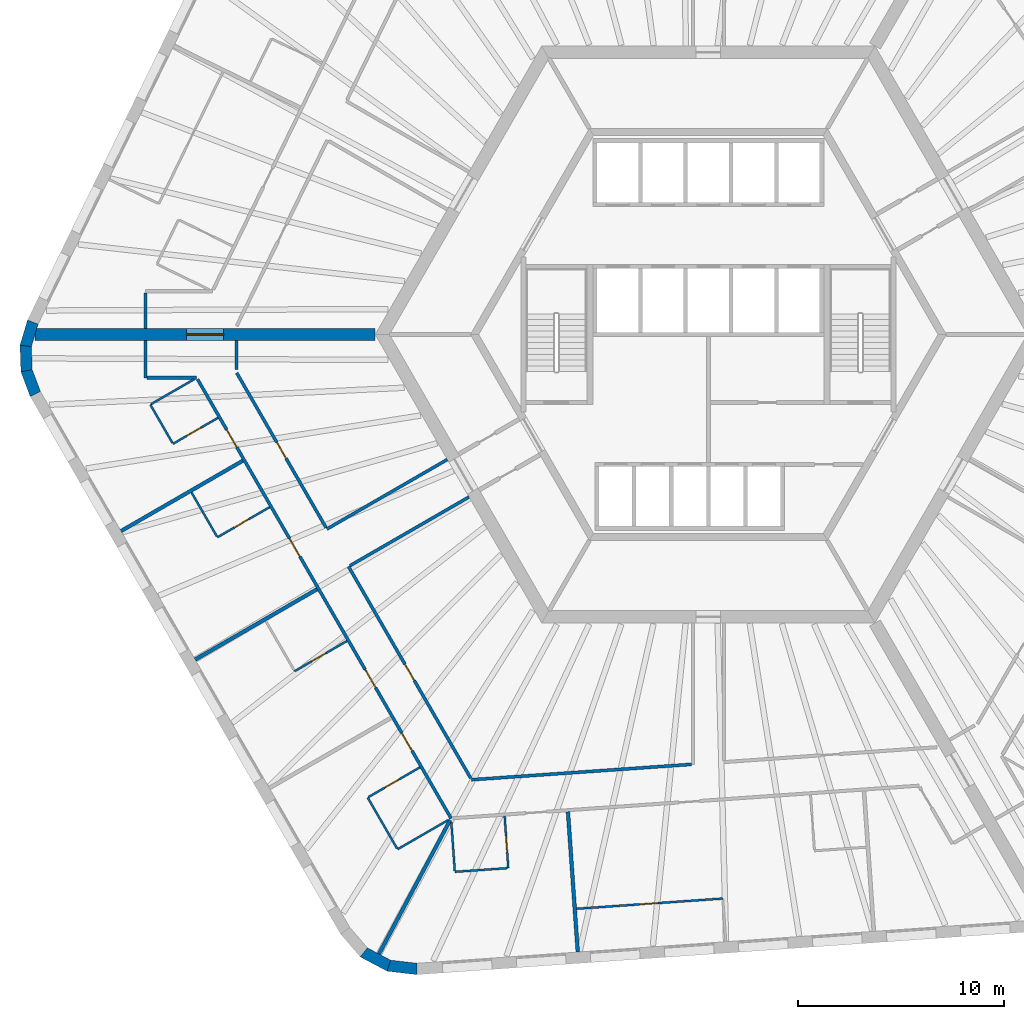
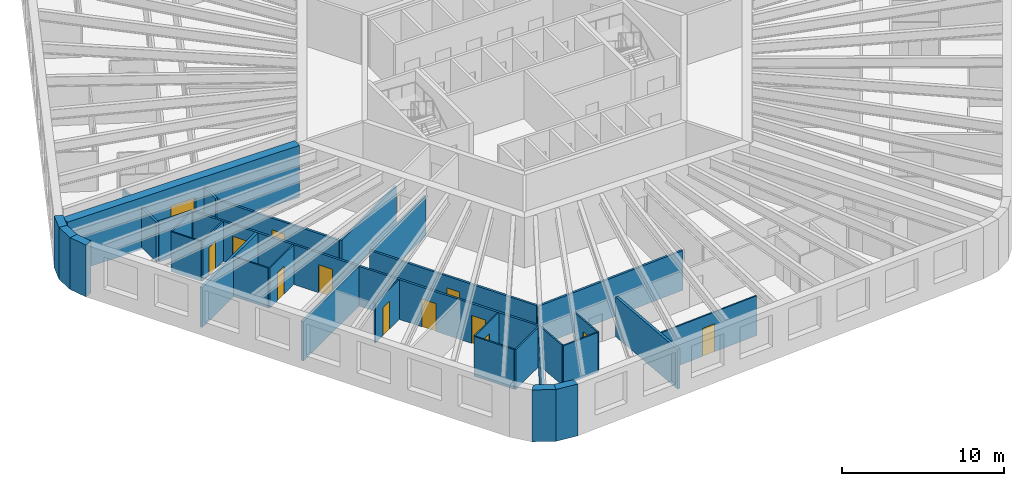
# One storey, part 3 of 12: 33 walls, 13 doors, 13 openings.
"""IFC4 building model written with IfcOpenShell, lengths in metres."""

from ifc_helpers import new_model, si_unit, direction, frame, frame_2d, origin, place, context, subcontext, project, spatial, polyline, rectangle, outline, extrude, material, layer, layer_set, type_object, element, fill, save


model = new_model("IFC4")

# Units and contexts
model_context = context("Model", 3, precision=1e-05, world=origin(), true_north=direction((0.0, 1.0)))
body_context = subcontext(model_context, "Body", "Model", "MODEL_VIEW")
ifc_project = project(units=[si_unit("LENGTHUNIT", "METRE"), si_unit("AREAUNIT", "SQUARE_METRE"), si_unit("VOLUMEUNIT", "CUBIC_METRE"), si_unit("PLANEANGLEUNIT", "RADIAN"), si_unit("MASSUNIT", "GRAM", prefix="KILO")], contexts=[model_context])

# Site, building, storey
site_placement = place(None, origin())
site = spatial("IfcSite", under=ifc_project, at=site_placement, CompositionType="ELEMENT")
building_placement = place(site_placement, origin())
building = spatial("IfcBuilding", under=site, at=building_placement, Name="Tarnside Tower", CompositionType="ELEMENT")
storey_placement = place(building_placement, frame((0.0, 0.0, 57.0)))
storey = spatial("IfcBuildingStorey", under=building, at=storey_placement, Name="L11", CompositionType="ELEMENT", Elevation=57.0)

# Wall, opening, door
ifc_material_1 = material(Name="Gypsum board partition on steel studs", Category="steel")
ifc_layer_1 = layer(ifc_material_1, 0.10009765625)
ifc_layer_set_1 = layer_set([ifc_layer_1], Name="Bathroom wall 100")
wall_type_1 = type_object("IfcWallType", Name="Bathroom wall 100", PredefinedType="PARTITIONING", material=ifc_layer_set_1)
wall_1_placement = place(storey_placement, frame((-23.791015625, -4.042724609375, 0.0), z_axis=(0.0, 0.0, 1.0), x_axis=(-0.866039067339, -0.499976333282, 0.0)))
wall_1 = element("IfcWall", 1, at=wall_1_placement, inside=storey, type_object=wall_type_1, Name="Bathroom wall 02101", PredefinedType="PARTITIONING", context=body_context, shape_type="SweptSolid", body=[
    extrude(rectangle(XDim=2.52490234375, YDim=0.10009765625, at=frame_2d((1.262451171875, 0.0))), origin(), (0.0, 0.0, 1.0), 2.98779296875),
])
opening_1_placement = place(wall_1_placement, frame((0.955078125, 0.0, 0.0)))
opening_1 = element("IfcOpeningElement", 2, at=opening_1_placement, cuts=wall_1, Name="Opening D-B1", PredefinedType="OPENING", context=body_context, shape_type="SweptSolid", body=[
    extrude(rectangle(XDim=0.800048828125, YDim=2.10009765625, at=frame_2d((0.39990234375, 1.050048828125))), frame((0.0, 0.06005859375, 0.0), z_axis=(0.0, -1.0, 0.0), x_axis=(1.0, 0.0, 0.0)), (0.0, 0.0, 1.0), 0.1201171875),
])
ifc_material_2 = material(Name="Timber door leaf", Category="wood")
door_type_1 = type_object("IfcDoorType", Name="Bathroom door 800", OperationType="NOTDEFINED", PredefinedType="DOOR", material=ifc_material_2)
door_1_placement = place(opening_1_placement, origin())
door_1 = element("IfcDoor", 3, at=door_1_placement, inside=storey, type_object=door_type_1, Name="Bathroom door 02015", OperationType="SINGLE_SWING_LEFT", OverallHeight=2.10009765625, OverallWidth=0.800048828125, PredefinedType="DOOR", context=body_context, shape_type="SweptSolid", body=[
    extrude(rectangle(XDim=0.800048828125, YDim=2.10009765625, at=frame_2d((0.39990234375, 1.050048828125))), frame((0.0, 0.02490234375, 0.0), z_axis=(0.0, -1.0, 0.0), x_axis=(1.0, 0.0, 0.0)), (0.0, 0.0, 1.0), 0.050048828125),
])
fill(opening_1, door_1)

# Walls
wall_2_placement = place(storey_placement, frame((-26.002685546875, -5.261962890625, 0.0), z_axis=(0.0, 0.0, 1.0), x_axis=(-0.499961633463, 0.866047553582, 0.0)))
element("IfcWall", 4, at=wall_2_placement, inside=storey, type_object=wall_type_1, Name="Bathroom wall 02102", PredefinedType="PARTITIONING", context=body_context, shape_type="SweptSolid", body=[
    extrude(rectangle(XDim=2.150146484375, YDim=0.10009765625, at=frame_2d((1.0751953125, 0.0))), origin(), (0.0, 0.0, 1.0), 2.98779296875),
])
wall_3_placement = place(storey_placement, frame((-27.034423828125, -3.375, 0.0), z_axis=(0.0, 0.0, 1.0), x_axis=(0.866024647952, 0.500001309137, 0.0)))
element("IfcWall", 5, at=wall_3_placement, inside=storey, type_object=wall_type_1, Name="Bathroom wall 02103", PredefinedType="PARTITIONING", context=body_context, shape_type="SweptSolid", body=[
    extrude(rectangle(XDim=2.39990234375, YDim=0.10009765625, at=frame_2d((1.199951171875, 0.0))), origin(), (0.0, 0.0, 1.0), 2.98779296875),
])

# Wall, opening, door
wall_4_placement = place(storey_placement, frame((-21.288330078125, -8.377685546875, 0.0), z_axis=(0.0, 0.0, 1.0), x_axis=(-0.866046596414, -0.499963291492, 0.0)))
wall_4 = element("IfcWall", 6, at=wall_4_placement, inside=storey, type_object=wall_type_1, Name="Bathroom wall 02106", PredefinedType="PARTITIONING", context=body_context, shape_type="SweptSolid", body=[
    extrude(rectangle(XDim=2.925048828125, YDim=0.10009765625, at=frame_2d((1.46240234375, 0.0))), origin(), (0.0, 0.0, 1.0), 2.98779296875),
])
opening_2_placement = place(wall_4_placement, frame((1.175048828125, 0.0, 0.0)))
opening_2 = element("IfcOpeningElement", 7, at=opening_2_placement, cuts=wall_4, Name="Opening D-B1", PredefinedType="OPENING", context=body_context, shape_type="SweptSolid", body=[
    extrude(rectangle(XDim=0.800048828125, YDim=2.10009765625, at=frame_2d((0.39990234375, 1.050048828125))), frame((0.0, 0.06005859375, 0.0), z_axis=(0.0, -1.0, 0.0), x_axis=(1.0, 0.0, 0.0)), (0.0, 0.0, 1.0), 0.1201171875),
])
door_2_placement = place(opening_2_placement, origin())
door_2 = element("IfcDoor", 8, at=door_2_placement, inside=storey, type_object=door_type_1, Name="Bathroom door 02017", OperationType="SINGLE_SWING_LEFT", OverallHeight=2.10009765625, OverallWidth=0.800048828125, PredefinedType="DOOR", context=body_context, shape_type="SweptSolid", body=[
    extrude(rectangle(XDim=0.800048828125, YDim=2.10009765625, at=frame_2d((0.39990234375, 1.050048828125))), frame((0.0, 0.02490234375, 0.0), z_axis=(0.0, -1.0, 0.0), x_axis=(1.0, 0.0, 0.0)), (0.0, 0.0, 1.0), 0.050048828125),
])
fill(opening_2, door_2)

# Wall
wall_5_placement = place(storey_placement, frame((-23.846435546875, -9.796875, 0.0), z_axis=(0.0, 0.0, 1.0), x_axis=(-0.499960120811, 0.86604842682, 0.0)))
element("IfcWall", 9, at=wall_5_placement, inside=storey, type_object=wall_type_1, Name="Bathroom wall 02107", PredefinedType="PARTITIONING", context=body_context, shape_type="SweptSolid", body=[
    extrude(rectangle(XDim=2.460205078125, YDim=0.10009765625, at=frame_2d((1.22998046875, 0.0))), origin(), (0.0, 0.0, 1.0), 2.98779296875),
])

# Wall, opening, door
wall_6_placement = place(storey_placement, frame((-17.538330078125, -14.872802734375, 0.0), z_axis=(0.0, 0.0, 1.0), x_axis=(-0.866046596414, -0.499963291492, 0.0)))
wall_6 = element("IfcWall", 10, at=wall_6_placement, inside=storey, type_object=wall_type_1, Name="Bathroom wall 02110", PredefinedType="PARTITIONING", context=body_context, shape_type="SweptSolid", body=[
    extrude(rectangle(XDim=2.925048828125, YDim=0.10009765625, at=frame_2d((1.46240234375, 0.0))), origin(), (0.0, 0.0, 1.0), 2.98779296875),
])
opening_3_placement = place(wall_6_placement, frame((1.175048828125, 0.0, 0.0)))
opening_3 = element("IfcOpeningElement", 11, at=opening_3_placement, cuts=wall_6, Name="Opening D-B1", PredefinedType="OPENING", context=body_context, shape_type="SweptSolid", body=[
    extrude(rectangle(XDim=0.800048828125, YDim=2.10009765625, at=frame_2d((0.39990234375, 1.050048828125))), frame((0.0, 0.06005859375, 0.0), z_axis=(0.0, -1.0, 0.0), x_axis=(1.0, 0.0, 0.0)), (0.0, 0.0, 1.0), 0.1201171875),
])
door_3_placement = place(opening_3_placement, origin())
door_3 = element("IfcDoor", 12, at=door_3_placement, inside=storey, type_object=door_type_1, Name="Bathroom door 02019", OperationType="SINGLE_SWING_LEFT", OverallHeight=2.10009765625, OverallWidth=0.800048828125, PredefinedType="DOOR", context=body_context, shape_type="SweptSolid", body=[
    extrude(rectangle(XDim=0.800048828125, YDim=2.10009765625, at=frame_2d((0.39990234375, 1.050048828125))), frame((0.0, 0.02490234375, 0.0), z_axis=(0.0, -1.0, 0.0), x_axis=(1.0, 0.0, 0.0)), (0.0, 0.0, 1.0), 0.050048828125),
])
fill(opening_3, door_3)

# Walls
wall_7_placement = place(storey_placement, frame((-12.631591796875, -23.5634765625, 0.0), z_axis=(0.0, 0.0, 1.0), x_axis=(-0.866014564827, -0.500018773155, 0.0)))
element("IfcWall", 13, at=wall_7_placement, inside=storey, type_object=wall_type_1, Name="Bathroom wall 02113", PredefinedType="PARTITIONING", context=body_context, shape_type="SweptSolid", body=[
    extrude(rectangle(XDim=2.8291015625, YDim=0.10009765625, at=frame_2d((1.41455078125, 0.0))), origin(), (0.0, 0.0, 1.0), 2.98779296875),
])
wall_8_placement = place(storey_placement, frame((-15.1064453125, -24.9345703125, 0.0), z_axis=(0.0, 0.0, 1.0), x_axis=(-0.500036373335, 0.866004402611, 0.0)))
element("IfcWall", 14, at=wall_8_placement, inside=storey, type_object=wall_type_1, Name="Bathroom wall 02114", PredefinedType="PARTITIONING", context=body_context, shape_type="SweptSolid", body=[
    extrude(rectangle(XDim=2.849853515625, YDim=0.10009765625, at=frame_2d((1.4248046875, 0.0))), origin(), (0.0, 0.0, 1.0), 2.98779296875),
])

# Wall, opening, door
wall_9_placement = place(storey_placement, frame((-16.48828125, -22.44140625, 0.0), z_axis=(0.0, 0.0, 1.0), x_axis=(0.866018712932, 0.500011588718, 0.0)))
wall_9 = element("IfcWall", 15, at=wall_9_placement, inside=storey, type_object=wall_type_1, Name="Bathroom wall 02115", PredefinedType="PARTITIONING", context=body_context, shape_type="SweptSolid", body=[
    extrude(rectangle(XDim=2.875, YDim=0.10009765625, at=frame_2d((1.4375, 0.0))), origin(), (0.0, 0.0, 1.0), 2.98779296875),
])
opening_4_placement = place(wall_9_placement, frame((0.89990234375, 0.0, 0.0)))
opening_4 = element("IfcOpeningElement", 16, at=opening_4_placement, cuts=wall_9, Name="Opening D-B1", PredefinedType="OPENING", context=body_context, shape_type="SweptSolid", body=[
    extrude(rectangle(XDim=0.800048828125, YDim=2.10009765625, at=frame_2d((0.39990234375, 1.050048828125))), frame((0.0, 0.06005859375, 0.0), z_axis=(0.0, -1.0, 0.0), x_axis=(1.0, 0.0, 0.0)), (0.0, 0.0, 1.0), 0.1201171875),
])
door_4_placement = place(opening_4_placement, origin())
door_4 = element("IfcDoor", 17, at=door_4_placement, inside=storey, type_object=door_type_1, Name="Bathroom door 02021", OperationType="SINGLE_SWING_RIGHT", OverallHeight=2.10009765625, OverallWidth=0.800048828125, PredefinedType="DOOR", context=body_context, shape_type="SweptSolid", body=[
    extrude(rectangle(XDim=0.800048828125, YDim=2.10009765625, at=frame_2d((0.39990234375, 1.050048828125))), frame((0.0, 0.02490234375, 0.0), z_axis=(0.0, -1.0, 0.0), x_axis=(1.0, 0.0, 0.0)), (0.0, 0.0, 1.0), 0.050048828125),
])
fill(opening_4, door_4)

wall_10_placement = place(storey_placement, frame((-9.884521484375, -23.371337890625, 0.0), z_axis=(0.0, 0.0, 1.0), x_axis=(0.069707901556, -0.99756744557, 0.0)))
wall_10 = element("IfcWall", 18, at=wall_10_placement, inside=storey, type_object=wall_type_1, Name="Bathroom wall 02117", PredefinedType="PARTITIONING", context=body_context, shape_type="SweptSolid", body=[
    extrude(rectangle(XDim=2.525146484375, YDim=0.10009765625, at=frame_2d((1.2626953125, 0.0))), origin(), (0.0, 0.0, 1.0), 2.98779296875),
])
opening_5_placement = place(wall_10_placement, frame((0.955078125, 0.0, 0.0)))
opening_5 = element("IfcOpeningElement", 19, at=opening_5_placement, cuts=wall_10, Name="Opening D-B1", PredefinedType="OPENING", context=body_context, shape_type="SweptSolid", body=[
    extrude(rectangle(XDim=0.800048828125, YDim=2.10009765625, at=frame_2d((0.39990234375, 1.050048828125))), frame((0.0, 0.06005859375, 0.0), z_axis=(0.0, -1.0, 0.0), x_axis=(1.0, 0.0, 0.0)), (0.0, 0.0, 1.0), 0.1201171875),
])
door_5_placement = place(opening_5_placement, origin())
door_5 = element("IfcDoor", 20, at=door_5_placement, inside=storey, type_object=door_type_1, Name="Bathroom door 02023", OperationType="SINGLE_SWING_LEFT", OverallHeight=2.10009765625, OverallWidth=0.800048828125, PredefinedType="DOOR", context=body_context, shape_type="SweptSolid", body=[
    extrude(rectangle(XDim=0.800048828125, YDim=2.10009765625, at=frame_2d((0.39990234375, 1.050048828125))), frame((0.0, 0.02490234375, 0.0), z_axis=(0.0, -1.0, 0.0), x_axis=(1.0, 0.0, 0.0)), (0.0, 0.0, 1.0), 0.050048828125),
])
fill(opening_5, door_5)

# Walls
wall_11_placement = place(storey_placement, frame((-9.75830078125, -25.893798828125, 0.0), z_axis=(0.0, 0.0, 1.0), x_axis=(-0.997561167558, -0.069797686069, 0.0)))
element("IfcWall", 21, at=wall_11_placement, inside=storey, type_object=wall_type_1, Name="Bathroom wall 02118", PredefinedType="PARTITIONING", context=body_context, shape_type="SweptSolid", body=[
    extrude(rectangle(XDim=2.5498046875, YDim=0.10009765625, at=frame_2d((1.27490234375, 0.0))), origin(), (0.0, 0.0, 1.0), 2.98779296875),
])
wall_12_placement = place(storey_placement, frame((-12.3056640625, -26.021728515625, 0.0), z_axis=(0.0, 0.0, 1.0), x_axis=(-0.069686144822, 0.997568965646, 0.0)))
element("IfcWall", 22, at=wall_12_placement, inside=storey, type_object=wall_type_1, Name="Bathroom wall 02119", PredefinedType="PARTITIONING", context=body_context, shape_type="SweptSolid", body=[
    extrude(rectangle(XDim=2.37890625, YDim=0.10009765625, at=frame_2d((1.189453125, 0.0))), origin(), (0.0, 0.0, 1.0), 2.98779296875),
])

# Wall, opening, door
ifc_material_3 = material(Name="Concrete C80/95", Category="concrete")
ifc_layer_2 = layer(ifc_material_3, 0.60009765625)
ifc_layer_set_2 = layer_set([ifc_layer_2], Name="Core wall Z1 600 C80/95")
wall_type_2 = type_object("IfcWallType", Name="Core wall Z1 600 C80/95", PredefinedType="SHEAR", material=ifc_layer_set_2)
wall_13_placement = place(storey_placement, frame((-16.165771484375, 0.0, -0.14990234375), z_axis=(0.0, 0.0, 1.0), x_axis=(-1.0, 0.0, 0.0)))
wall_13 = element("IfcWall", 23, at=wall_13_placement, inside=storey, type_object=wall_type_2, Name="L11 spine wall 2", PredefinedType="SHEAR", context=body_context, shape_type="SweptSolid", body=[
    extrude(rectangle(XDim=16.509033203125, YDim=0.60009765625, at=frame_2d((8.25439453125, 0.0))), origin(), (0.0, 0.0, 1.0), 3.89990234375),
])
opening_6_placement = place(wall_13_placement, frame((7.3544921875, 0.0, 0.14990234375)))
opening_6 = element("IfcOpeningElement", 24, at=opening_6_placement, cuts=wall_13, Name="Opening CD-SPN", PredefinedType="OPENING", context=body_context, shape_type="SweptSolid", body=[
    extrude(rectangle(XDim=1.800048828125, YDim=2.39990234375, at=frame_2d((0.89990234375, 1.199951171875))), frame((0.0, 0.31005859375, 0.0), z_axis=(0.0, -1.0, 0.0), x_axis=(1.0, 0.0, 0.0)), (0.0, 0.0, 1.0), 0.6201171875),
])
ifc_material_4 = material(Name="Steel fire door", Category="steel")
door_type_2 = type_object("IfcDoorType", Name="Spine passage double door FD60 1800x2400", OperationType="NOTDEFINED", PredefinedType="DOOR", material=ifc_material_4)
door_6_placement = place(opening_6_placement, origin())
door_6 = element("IfcDoor", 25, at=door_6_placement, inside=storey, type_object=door_type_2, Name="L11 spine passage door 2", OperationType="DOUBLE_DOOR_SINGLE_SWING", OverallHeight=2.39990234375, OverallWidth=1.800048828125, PredefinedType="DOOR", context=body_context, shape_type="SweptSolid", body=[
    extrude(rectangle(XDim=1.800048828125, YDim=2.39990234375, at=frame_2d((0.89990234375, 1.199951171875))), frame((0.0, 0.02490234375, 0.0), z_axis=(0.0, -1.0, 0.0), x_axis=(1.0, 0.0, 0.0)), (0.0, 0.0, 1.0), 0.050048828125),
])
fill(opening_6, door_6)

# Walls
ifc_layer_3 = layer(ifc_material_1, 0.14990234375)
ifc_layer_set_3 = layer_set([ifc_layer_3], Name="Corridor wall 150 EI 60")
wall_type_3 = type_object("IfcWallType", Name="Corridor wall 150 EI 60", PredefinedType="PARTITIONING", material=ifc_layer_set_3)
wall_14_placement = place(storey_placement, frame((-27.3203125, 2.02490234375, 0.0), z_axis=(0.0, 0.0, 1.0), x_axis=(0.0, -1.0, 0.0)))
element("IfcWall", 26, at=wall_14_placement, inside=storey, type_object=wall_type_3, Name="Corridor wall 02010", PredefinedType="PARTITIONING", context=body_context, shape_type="SweptSolid", body=[
    extrude(rectangle(XDim=1.724853515625, YDim=0.14990234375, at=frame_2d((0.8623046875, 0.0))), origin(), (0.0, 0.0, 1.0), 2.98779296875),
])
wall_15_placement = place(storey_placement, frame((-27.3203125, -0.300048828125, 0.0), z_axis=(0.0, 0.0, 1.0), x_axis=(0.0, -1.0, 0.0)))
element("IfcWall", 27, at=wall_15_placement, inside=storey, type_object=wall_type_3, Name="Corridor wall 02022", PredefinedType="PARTITIONING", context=body_context, shape_type="SweptSolid", body=[
    extrude(rectangle(XDim=1.800048828125, YDim=0.14990234375, at=frame_2d((0.89990234375, 0.0))), origin(), (0.0, 0.0, 1.0), 2.98779296875),
])
wall_16_placement = place(storey_placement, frame((-27.245361328125, -2.10009765625, 0.0), z_axis=(0.0, 0.0, 1.0), x_axis=(1.0, 0.0, 0.0)))
element("IfcWall", 28, at=wall_16_placement, inside=storey, type_object=wall_type_3, Name="Corridor wall 02023", PredefinedType="PARTITIONING", context=body_context, shape_type="SweptSolid", body=[
    extrude(rectangle(XDim=2.419189453125, YDim=0.14990234375, at=frame_2d((1.20947265625, 0.0))), origin(), (0.0, 0.0, 1.0), 2.98779296875),
])

# Wall, openings, doors
wall_17_placement = place(storey_placement, frame((-24.78271484375, -2.175048828125, 0.0), z_axis=(0.0, 0.0, 1.0), x_axis=(0.500001098408, -0.866024769617, 0.0)))
wall_17 = element("IfcWall", 29, at=wall_17_placement, inside=storey, type_object=wall_type_3, Name="Corridor wall 02024", PredefinedType="PARTITIONING", context=body_context, shape_type="SweptSolid", body=[
    extrude(rectangle(XDim=24.5986328125, YDim=0.14990234375, at=frame_2d((12.29931640625, 0.0))), origin(), (0.0, 0.0, 1.0), 2.98779296875),
])
opening_7_placement = place(wall_17_placement, frame((2.816162109375, 0.0, 0.0)))
opening_7 = element("IfcOpeningElement", 30, at=opening_7_placement, cuts=wall_17, Name="Opening D-E1", PredefinedType="OPENING", context=body_context, shape_type="SweptSolid", body=[
    extrude(rectangle(XDim=1.0, YDim=2.10009765625, at=frame_2d((0.5, 1.050048828125))), frame((0.0, 0.0849609375, 0.0), z_axis=(0.0, -1.0, 0.0), x_axis=(1.0, 0.0, 0.0)), (0.0, 0.0, 1.0), 0.169921875),
])
opening_8_placement = place(wall_17_placement, frame((8.9189453125, 0.0, 0.0)))
opening_8 = element("IfcOpeningElement", 31, at=opening_8_placement, cuts=wall_17, Name="Opening D-E1", PredefinedType="OPENING", context=body_context, shape_type="SweptSolid", body=[
    extrude(rectangle(XDim=1.0, YDim=2.10009765625, at=frame_2d((0.5, 1.050048828125))), frame((0.0, 0.0849609375, 0.0), z_axis=(0.0, -1.0, 0.0), x_axis=(1.0, 0.0, 0.0)), (0.0, 0.0, 1.0), 0.169921875),
])
opening_9_placement = place(wall_17_placement, frame((16.268798828125, 0.0, 0.0)))
opening_9 = element("IfcOpeningElement", 32, at=opening_9_placement, cuts=wall_17, Name="Opening D-E1", PredefinedType="OPENING", context=body_context, shape_type="SweptSolid", body=[
    extrude(rectangle(XDim=1.0, YDim=2.10009765625, at=frame_2d((0.5, 1.050048828125))), frame((0.0, 0.0849609375, 0.0), z_axis=(0.0, -1.0, 0.0), x_axis=(1.0, 0.0, 0.0)), (0.0, 0.0, 1.0), 0.169921875),
])
opening_10_placement = place(wall_17_placement, frame((19.80859375, 0.0, 0.0)))
opening_10 = element("IfcOpeningElement", 33, at=opening_10_placement, cuts=wall_17, Name="Opening D-E1", PredefinedType="OPENING", context=body_context, shape_type="SweptSolid", body=[
    extrude(rectangle(XDim=1.0, YDim=2.10009765625, at=frame_2d((0.5, 1.050048828125))), frame((0.0, 0.0849609375, 0.0), z_axis=(0.0, -1.0, 0.0), x_axis=(1.0, 0.0, 0.0)), (0.0, 0.0, 1.0), 0.169921875),
])
door_type_3 = type_object("IfcDoorType", Name="Unit entrance door 1000 FD30S", OperationType="NOTDEFINED", PredefinedType="DOOR", material=ifc_material_2)
door_7_placement = place(opening_7_placement, origin())
door_7 = element("IfcDoor", 34, at=door_7_placement, inside=storey, type_object=door_type_3, Name="Unit door 02014", OperationType="SINGLE_SWING_RIGHT", OverallHeight=2.10009765625, OverallWidth=1.0, PredefinedType="DOOR", context=body_context, shape_type="SweptSolid", body=[
    extrude(rectangle(XDim=1.0, YDim=2.10009765625, at=frame_2d((0.5, 1.050048828125))), frame((0.0, 0.02490234375, 0.0), z_axis=(0.0, -1.0, 0.0), x_axis=(1.0, 0.0, 0.0)), (0.0, 0.0, 1.0), 0.050048828125),
])
fill(opening_7, door_7)
door_8_placement = place(opening_8_placement, origin())
door_8 = element("IfcDoor", 35, at=door_8_placement, inside=storey, type_object=door_type_3, Name="Unit door 02016", OperationType="SINGLE_SWING_LEFT", OverallHeight=2.10009765625, OverallWidth=1.0, PredefinedType="DOOR", context=body_context, shape_type="SweptSolid", body=[
    extrude(rectangle(XDim=1.0, YDim=2.10009765625, at=frame_2d((0.5, 1.050048828125))), frame((0.0, 0.02490234375, 0.0), z_axis=(0.0, -1.0, 0.0), x_axis=(1.0, 0.0, 0.0)), (0.0, 0.0, 1.0), 0.050048828125),
])
fill(opening_8, door_8)
door_9_placement = place(opening_9_placement, origin())
door_9 = element("IfcDoor", 36, at=door_9_placement, inside=storey, type_object=door_type_3, Name="Unit door 02018", OperationType="SINGLE_SWING_LEFT", OverallHeight=2.10009765625, OverallWidth=1.0, PredefinedType="DOOR", context=body_context, shape_type="SweptSolid", body=[
    extrude(rectangle(XDim=1.0, YDim=2.10009765625, at=frame_2d((0.5, 1.050048828125))), frame((0.0, 0.02490234375, 0.0), z_axis=(0.0, -1.0, 0.0), x_axis=(1.0, 0.0, 0.0)), (0.0, 0.0, 1.0), 0.050048828125),
])
fill(opening_9, door_9)
door_10_placement = place(opening_10_placement, origin())
door_10 = element("IfcDoor", 37, at=door_10_placement, inside=storey, type_object=door_type_3, Name="Unit door 02020", OperationType="SINGLE_SWING_RIGHT", OverallHeight=2.10009765625, OverallWidth=1.0, PredefinedType="DOOR", context=body_context, shape_type="SweptSolid", body=[
    extrude(rectangle(XDim=1.0, YDim=2.10009765625, at=frame_2d((0.5, 1.050048828125))), frame((0.0, 0.02490234375, 0.0), z_axis=(0.0, -1.0, 0.0), x_axis=(1.0, 0.0, 0.0)), (0.0, 0.0, 1.0), 0.050048828125),
])
fill(opening_10, door_10)

# Wall
wall_18_placement = place(storey_placement, frame((-12.663818359375, -6.065673828125, 0.0), z_axis=(0.0, 0.0, 1.0), x_axis=(-0.866026575979, -0.499997969693, 0.0)))
element("IfcWall", 38, at=wall_18_placement, inside=storey, type_object=wall_type_3, Name="Corridor wall 02039", PredefinedType="PARTITIONING", context=body_context, shape_type="SweptSolid", body=[
    extrude(rectangle(XDim=6.75, YDim=0.14990234375, at=frame_2d((3.375, 0.0))), origin(), (0.0, 0.0, 1.0), 2.98779296875),
])

# Wall, opening, door
wall_19_placement = place(storey_placement, frame((-18.546875, -9.375732421875, 0.0), z_axis=(0.0, 0.0, 1.0), x_axis=(-0.500002473902, 0.866023975472, 0.0)))
wall_19 = element("IfcWall", 39, at=wall_19_placement, inside=storey, type_object=wall_type_3, Name="Corridor wall 02040", PredefinedType="PARTITIONING", context=body_context, shape_type="SweptSolid", body=[
    extrude(rectangle(XDim=8.67919921875, YDim=0.14990234375, at=frame_2d((4.339599609375, 0.0))), origin(), (0.0, 0.0, 1.0), 2.98779296875),
])
opening_11_placement = place(wall_19_placement, frame((3.8896484375, 0.0, 0.0)))
opening_11 = element("IfcOpeningElement", 40, at=opening_11_placement, cuts=wall_19, Name="Opening D-S1", PredefinedType="OPENING", context=body_context, shape_type="SweptSolid", body=[
    extrude(rectangle(XDim=0.89990234375, YDim=2.10009765625, at=frame_2d((0.449951171875, 1.050048828125))), frame((0.0, 0.0849609375, 0.0), z_axis=(0.0, -1.0, 0.0), x_axis=(1.0, 0.0, 0.0)), (0.0, 0.0, 1.0), 0.169921875),
])
door_type_4 = type_object("IfcDoorType", Name="Service room door 900 FD30S", OperationType="NOTDEFINED", PredefinedType="DOOR", material=ifc_material_2)
door_11_placement = place(opening_11_placement, origin())
door_11 = element("IfcDoor", 41, at=door_11_placement, inside=storey, type_object=door_type_4, Name="Service door 02044", OperationType="SINGLE_SWING_RIGHT", OverallHeight=2.10009765625, OverallWidth=0.89990234375, PredefinedType="DOOR", context=body_context, shape_type="SweptSolid", body=[
    extrude(rectangle(XDim=0.89990234375, YDim=2.10009765625, at=frame_2d((0.449951171875, 1.050048828125))), frame((0.0, 0.02490234375, 0.0), z_axis=(0.0, -1.0, 0.0), x_axis=(1.0, 0.0, 0.0)), (0.0, 0.0, 1.0), 0.050048828125),
])
fill(opening_11, door_11)

# Walls
wall_20_placement = place(storey_placement, frame((-22.886474609375, -1.70947265625, 0.0), z_axis=(0.0, 0.0, 1.0), x_axis=(0.0, 1.0, 0.0)))
element("IfcWall", 42, at=wall_20_placement, inside=storey, type_object=wall_type_3, Name="Corridor wall 02041", PredefinedType="PARTITIONING", context=body_context, shape_type="SweptSolid", body=[
    extrude(rectangle(XDim=1.409423828125, YDim=0.14990234375, at=frame_2d((0.70458984375, 0.0))), origin(), (0.0, 0.0, 1.0), 2.98779296875),
])
wall_21_placement = place(storey_placement, frame((-0.824951171875, -20.8583984375, 0.0), z_axis=(0.0, 0.0, 1.0), x_axis=(-0.997563801863, -0.069760025895, 0.0)))
element("IfcWall", 43, at=wall_21_placement, inside=storey, type_object=wall_type_3, Name="Corridor wall 02043", PredefinedType="PARTITIONING", context=body_context, shape_type="SweptSolid", body=[
    extrude(rectangle(XDim=10.688232421875, YDim=0.14990234375, at=frame_2d((5.34423828125, 0.0))), origin(), (0.0, 0.0, 1.0), 2.98779296875),
])

# Wall, opening, door
wall_22_placement = place(storey_placement, frame((-11.52880859375, -21.53173828125, 0.0), z_axis=(0.0, 0.0, 1.0), x_axis=(-0.499990893337, 0.866030661455, 0.0)))
wall_22 = element("IfcWall", 44, at=wall_22_placement, inside=storey, type_object=wall_type_3, Name="Corridor wall 02044", PredefinedType="PARTITIONING", context=body_context, shape_type="SweptSolid", body=[
    extrude(rectangle(XDim=11.861572265625, YDim=0.14990234375, at=frame_2d((5.9306640625, 0.0))), origin(), (0.0, 0.0, 1.0), 2.98779296875),
])
opening_12_placement = place(wall_22_placement, frame((5.480712890625, 0.0, 0.0)))
opening_12 = element("IfcOpeningElement", 45, at=opening_12_placement, cuts=wall_22, Name="Opening D-S1", PredefinedType="OPENING", context=body_context, shape_type="SweptSolid", body=[
    extrude(rectangle(XDim=0.89990234375, YDim=2.10009765625, at=frame_2d((0.449951171875, 1.050048828125))), frame((0.0, 0.0849609375, 0.0), z_axis=(0.0, -1.0, 0.0), x_axis=(1.0, 0.0, 0.0)), (0.0, 0.0, 1.0), 0.169921875),
])
door_12_placement = place(opening_12_placement, origin())
door_12 = element("IfcDoor", 46, at=door_12_placement, inside=storey, type_object=door_type_4, Name="Service door 02045", OperationType="SINGLE_SWING_RIGHT", OverallHeight=2.10009765625, OverallWidth=0.89990234375, PredefinedType="DOOR", context=body_context, shape_type="SweptSolid", body=[
    extrude(rectangle(XDim=0.89990234375, YDim=2.10009765625, at=frame_2d((0.449951171875, 1.050048828125))), frame((0.0, 0.02490234375, 0.0), z_axis=(0.0, -1.0, 0.0), x_axis=(1.0, 0.0, 0.0)), (0.0, 0.0, 1.0), 0.050048828125),
])
fill(opening_12, door_12)

# Walls
wall_23_placement = place(storey_placement, frame((-17.39453125, -11.221923828125, 0.0), z_axis=(0.0, 0.0, 1.0), x_axis=(0.86601747984, 0.500013724423, 0.0)))
element("IfcWall", 47, at=wall_23_placement, inside=storey, type_object=wall_type_3, Name="Corridor wall 02045", PredefinedType="PARTITIONING", context=body_context, shape_type="SweptSolid", body=[
    extrude(rectangle(XDim=6.675048828125, YDim=0.14990234375, at=frame_2d((3.33740234375, 0.0))), origin(), (0.0, 0.0, 1.0), 2.98779296875),
])
ifc_layer_4 = layer(ifc_material_1, 0.179931640625)
ifc_layer_set_4 = layer_set([ifc_layer_4], Name="Demising wall 180 EI 60")
wall_type_4 = type_object("IfcWallType", Name="Demising wall 180 EI 60", PredefinedType="PARTITIONING", material=ifc_layer_set_4)
for number, where, z_axis, x_axis, name in (
    (48, (-28.4990234375, -9.538330078125, 0.0), (0.0, 0.0, 1.0), (0.866035472144, 0.499982560684, 0.0), "Demising wall 02104"),
    (49, (-24.89892578125, -15.773681640625, 0.0), (0.0, 0.0, 1.0), (0.866035472144, 0.499982560684, 0.0), "Demising wall 02108"),
):
    element("IfcWall", number, at=place(storey_placement, frame(where, z_axis=z_axis, x_axis=x_axis)), inside=storey, type_object=wall_type_4, Name=name, PredefinedType="PARTITIONING", context=body_context, shape_type="SweptSolid", body=[
        extrude(rectangle(XDim=6.824951171875, YDim=0.179931640625, at=frame_2d((3.41259765625, 0.0))), origin(), (0.0, 0.0, 1.0), 2.98779296875),
    ])
wall_24_placement = place(storey_placement, frame((-15.98291015625, -30.059326171875, 0.0), z_axis=(0.0, 0.0, 1.0), x_axis=(0.469493679368, 0.882935832909, 0.0)))
element("IfcWall", 50, at=wall_24_placement, inside=storey, type_object=wall_type_4, Name="Demising wall 02116", PredefinedType="PARTITIONING", context=body_context, shape_type="SweptSolid", body=[
    extrude(rectangle(XDim=7.365478515625, YDim=0.179931640625, at=frame_2d((3.6826171875, 0.0))), origin(), (0.0, 0.0, 1.0), 2.98779296875),
])
wall_25_placement = place(storey_placement, frame((-6.336181640625, -29.965087890625, 0.0), z_axis=(0.0, 0.0, 1.0), x_axis=(-0.069790326764, 0.997561682449, 0.0)))
element("IfcWall", 51, at=wall_25_placement, inside=storey, type_object=wall_type_4, Name="Demising wall 02120", PredefinedType="PARTITIONING", context=body_context, shape_type="SweptSolid", body=[
    extrude(rectangle(XDim=6.824951171875, YDim=0.179931640625, at=frame_2d((3.41259765625, 0.0))), origin(), (0.0, 0.0, 1.0), 2.98779296875),
])

# Wall, opening, door
ifc_layer_5 = layer(ifc_material_1, 0.10009765625)
ifc_layer_set_5 = layer_set([ifc_layer_5], Name="Partition 100")
wall_type_5 = type_object("IfcWallType", Name="Partition 100", PredefinedType="PARTITIONING", material=ifc_layer_set_5)
wall_26_placement = place(storey_placement, frame((-6.39306640625, -27.86376953125, 0.0), z_axis=(0.0, 0.0, 1.0), x_axis=(0.997565277642, 0.069738919141, 0.0)))
wall_26 = element("IfcWall", 52, at=wall_26_placement, inside=storey, type_object=wall_type_5, Name="Partition wall 02124", PredefinedType="PARTITIONING", context=body_context, shape_type="SweptSolid", body=[
    extrude(rectangle(XDim=7.110107421875, YDim=0.10009765625, at=frame_2d((3.55517578125, 0.0))), origin(), (0.0, 0.0, 1.0), 2.98779296875),
])
opening_13_placement = place(wall_26_placement, frame((3.06005859375, 0.0, 0.0)))
opening_13 = element("IfcOpeningElement", 53, at=opening_13_placement, cuts=wall_26, Name="Opening D-I1", PredefinedType="OPENING", context=body_context, shape_type="SweptSolid", body=[
    extrude(rectangle(XDim=0.89990234375, YDim=2.10009765625, at=frame_2d((0.449951171875, 1.050048828125))), frame((0.0, 0.06005859375, 0.0), z_axis=(0.0, -1.0, 0.0), x_axis=(1.0, 0.0, 0.0)), (0.0, 0.0, 1.0), 0.1201171875),
])
door_type_5 = type_object("IfcDoorType", Name="Internal door 900", OperationType="NOTDEFINED", PredefinedType="DOOR", material=ifc_material_2)
door_13_placement = place(opening_13_placement, origin())
door_13 = element("IfcDoor", 54, at=door_13_placement, inside=storey, type_object=door_type_5, Name="Internal door 02026", OperationType="SINGLE_SWING_RIGHT", OverallHeight=2.10009765625, OverallWidth=0.89990234375, PredefinedType="DOOR", context=body_context, shape_type="SweptSolid", body=[
    extrude(rectangle(XDim=0.89990234375, YDim=2.10009765625, at=frame_2d((0.449951171875, 1.050048828125))), frame((0.0, 0.02490234375, 0.0), z_axis=(0.0, -1.0, 0.0), x_axis=(1.0, 0.0, 0.0)), (0.0, 0.0, 1.0), 0.050048828125),
])
fill(opening_13, door_13)

# Walls
ifc_material_5 = material(Name="Facing brick", Category="masonry")
ifc_layer_6 = layer(ifc_material_5, 0.10205078125)
ifc_material_6 = material(Name="Concrete C60/75 precast", Category="concrete")
ifc_layer_7 = layer(ifc_material_6, 0.347900390625)
ifc_material_7 = material(Name="Mineral wool insulation")
ifc_layer_8 = layer(ifc_material_7, 0.10009765625)
ifc_layer_set_6 = layer_set([ifc_layer_6, ifc_layer_7, ifc_layer_8], Name="Tube wall 550 brick faced")
wall_type_6 = type_object("IfcWallType", Name="Tube wall 550 brick faced", PredefinedType="SOLIDWALL", material=ifc_layer_set_6)
wall_27_placement = place(storey_placement, frame((-32.77685546875, 0.605224609375, -0.14990234375), z_axis=(0.0, 0.0, 1.0), x_axis=(-0.286921497463, -0.957954098219, 0.0)))
element("IfcWall", 55, at=wall_27_placement, inside=storey, type_object=wall_type_6, Name="Tube wall L11 F2 chord 05", PredefinedType="SOLIDWALL", context=body_context, shape_type="SweptSolid", body=[
    extrude(outline(polyline([(-0.0224609375, -0.27490234375), (1.25341796875, -0.27490234375), (1.1630859375, 0.27490234375), (0.0224609375, 0.27490234375), (-0.0224609375, -0.27490234375)])), origin(), (0.0, 0.0, 1.0), 3.89990234375),
])
wall_28_placement = place(storey_placement, frame((-33.12353515625, -0.55224609375, -0.14990234375), z_axis=(0.0, 0.0, 1.0), x_axis=(0.03495638276, -0.999388838893, 0.0)))
element("IfcWall", 56, at=wall_28_placement, inside=storey, type_object=wall_type_6, Name="Tube wall L11 F2 chord 06", PredefinedType="SOLIDWALL", context=body_context, shape_type="SweptSolid", body=[
    extrude(outline(polyline([(-0.045166015625, -0.27490234375), (1.25341796875, -0.27490234375), (1.1630859375, 0.27490234375), (0.045166015625, 0.27490234375), (-0.045166015625, -0.27490234375)])), origin(), (0.0, 0.0, 1.0), 3.89990234375),
])
wall_29_placement = place(storey_placement, frame((-33.081298828125, -1.759765625, -0.14990234375), z_axis=(0.0, 0.0, 1.0), x_axis=(0.353027214741, -0.935613053378, 0.0)))
element("IfcWall", 57, at=wall_29_placement, inside=storey, type_object=wall_type_6, Name="Tube wall L11 F2 chord 07", PredefinedType="SOLIDWALL", context=body_context, shape_type="SweptSolid", body=[
    extrude(outline(polyline([(-0.045166015625, -0.27490234375), (1.230712890625, -0.27490234375), (1.185791015625, 0.27490234375), (0.045166015625, 0.27490234375), (-0.045166015625, -0.27490234375)])), origin(), (0.0, 0.0, 1.0), 3.89990234375),
])
wall_30_placement = place(storey_placement, frame((-16.720703125, -29.978515625, -0.14990234375), z_axis=(0.0, 0.0, 1.0), x_axis=(0.882994189209, -0.469383917304, 0.0)))
element("IfcWall", 58, at=wall_30_placement, inside=storey, type_object=wall_type_6, Name="Tube wall L11 F3 chord 10", PredefinedType="SOLIDWALL", context=body_context, shape_type="SweptSolid", body=[
    extrude(outline(polyline([(-0.0517578125, -0.27490234375), (1.4306640625, -0.27490234375), (1.3271484375, 0.27490234375), (0.0517578125, 0.27490234375), (-0.0517578125, -0.27490234375)])), origin(), (0.0, 0.0, 1.0), 3.89990234375),
])
wall_31_placement = place(storey_placement, frame((-15.503173828125, -30.625732421875, -0.14990234375), z_axis=(0.0, 0.0, 1.0), x_axis=(0.993232537394, -0.11614269956, 0.0)))
element("IfcWall", 59, at=wall_31_placement, inside=storey, type_object=wall_type_6, Name="Tube wall L11 F3 chord 11", PredefinedType="SOLIDWALL", context=body_context, shape_type="SweptSolid", body=[
    extrude(outline(polyline([(-0.0517578125, -0.27490234375), (1.404541015625, -0.27490234375), (1.353271484375, 0.27490234375), (0.0517578125, 0.27490234375), (-0.0517578125, -0.27490234375)])), origin(), (0.0, 0.0, 1.0), 3.89990234375),
])

save(model, "model.ifc")
